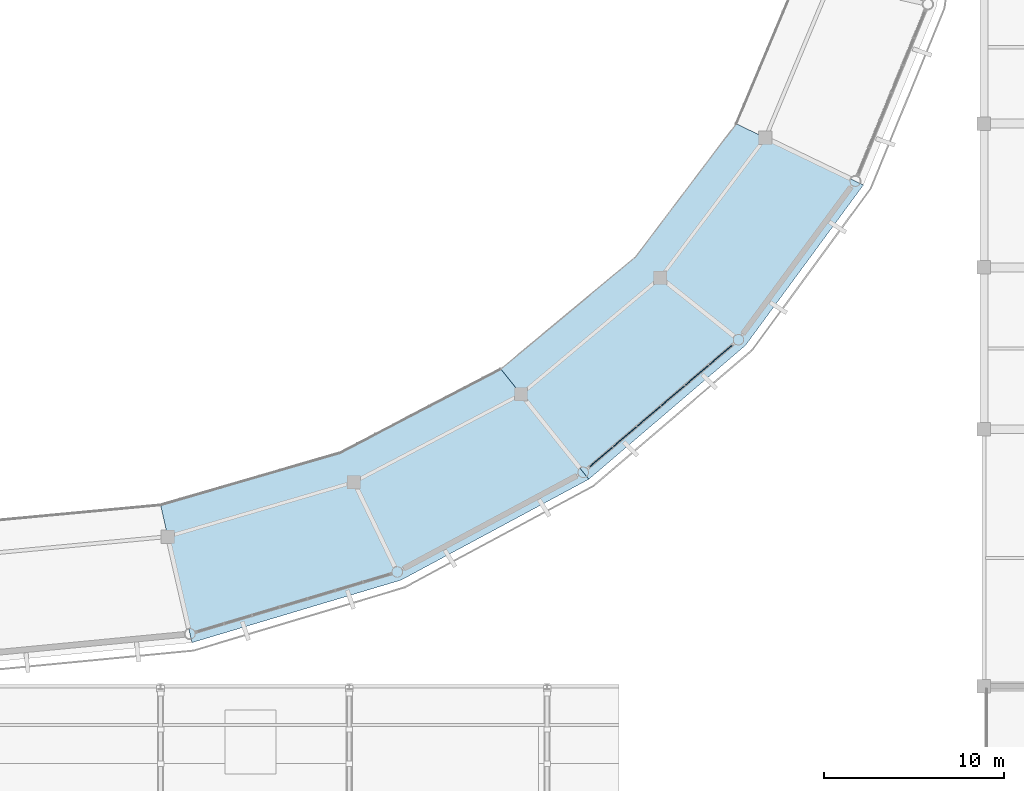
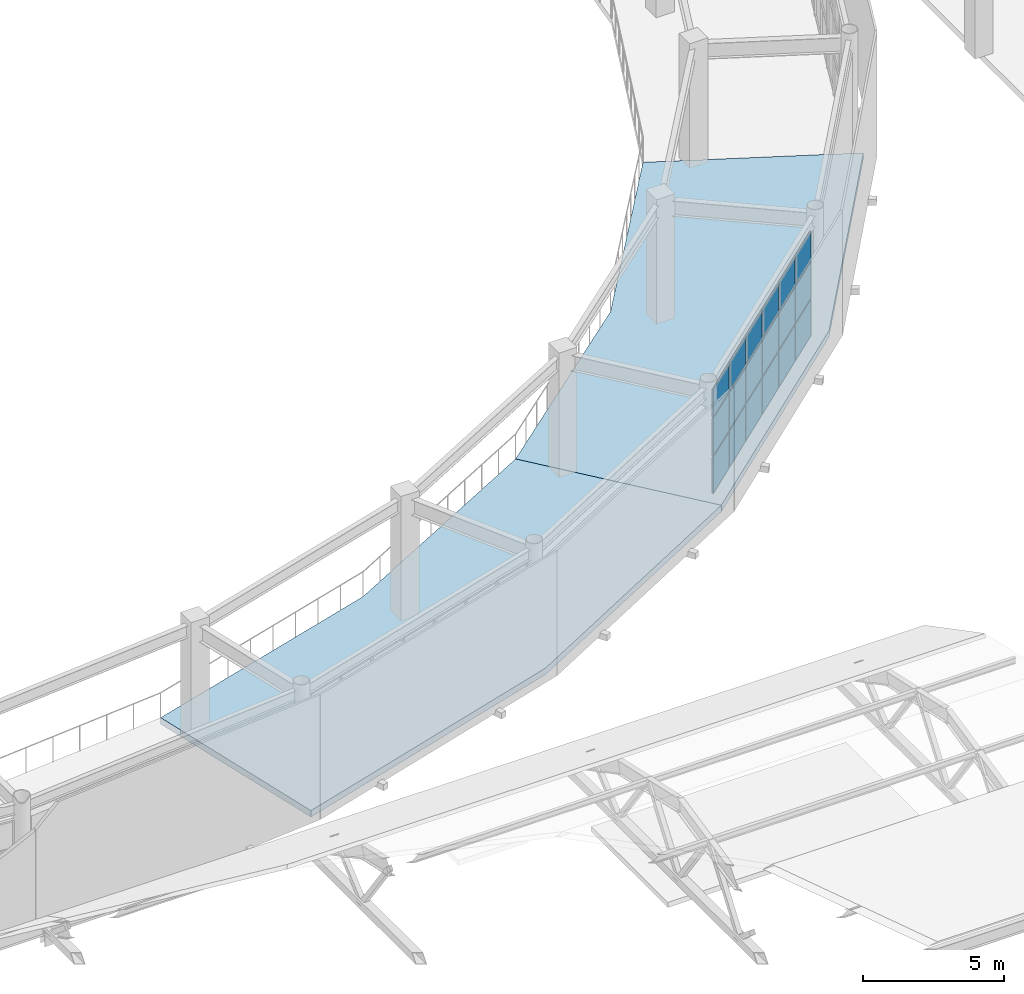
# One storey, part 42 of 70: 18 plates, 2 slabs, 1 element without a shape of its own.
"""IFC4 building model written with IfcOpenShell, lengths in metres."""

import ifcopenshell
import ifcopenshell.guid

model = None  # the IFC model being written
_history = None  # IfcOwnerHistory: only IFC2X3 demands one
_inside = {}  # id of a spatial element -> (the spatial element, [elements in it])
_under = {}  # id of a project, library or spatial element -> (it, [spatial elements below it])
_declared = {}  # id of a project -> (the project, [libraries it declares])
_typed = {}  # id of a type object -> (the type object, [elements of that type])
_made_of = {}  # id of a material, layer set ... -> (it, [elements and type objects made of it])


def new_model(schema):
    """Start an empty IFC model of exactly this schema.

    Asked for "IFC4X3", IfcOpenShell would pick the latest addendum, in which some entities
    have other attributes; the version numbers below select the first issue.
    IFC2X3 requires an IfcOwnerHistory on every rooted entity: one is made here for all.
    """
    global model, _history
    if schema == "IFC4X3":
        model = ifcopenshell.file(schema_version=(4, 3, 0, 0))
    else:
        model = ifcopenshell.file(schema=schema)
    _inside.clear()
    _under.clear()
    _declared.clear()
    _typed.clear()
    _made_of.clear()
    _history = None
    if model.schema == "IFC2X3":
        org = make("IfcOrganization", Name="unknown")
        user = make(
            "IfcPersonAndOrganization",
            ThePerson=make("IfcPerson", FamilyName="unknown"),
            TheOrganization=org,
        )
        app = make(
            "IfcApplication",
            ApplicationDeveloper=org,
            Version="unknown",
            ApplicationFullName="unknown",
            ApplicationIdentifier="unknown",
        )
        _history = make(
            "IfcOwnerHistory",
            OwningUser=user,
            OwningApplication=app,
            ChangeAction="ADDED",
            CreationDate=0,
        )
    return model


def make(cls, **values):
    """One entity of the class cls with the attributes given. An attribute that is None is left unset."""
    return model.create_entity(
        cls, **{name: value for name, value in values.items() if value is not None}
    )


def rooted(cls, **values):
    """An entity with a GlobalId (a new one), such as an element, a storey or a relation."""
    return make(cls, GlobalId=ifcopenshell.guid.new(), OwnerHistory=_history, **values)


def si_unit(unit_type, name, prefix=None):
    """IfcSIUnit, for example si_unit("LENGTHUNIT", "METRE", prefix="MILLI")."""
    return make("IfcSIUnit", UnitType=unit_type, Prefix=prefix, Name=name)


def assignment(units):
    """IfcUnitAssignment: the units of a project."""
    return None if units is None else make("IfcUnitAssignment", Units=units)


def point(xyz):
    """IfcCartesianPoint."""
    return None if xyz is None else make("IfcCartesianPoint", Coordinates=xyz)


def direction(xyz):
    """IfcDirection."""
    return None if xyz is None else make("IfcDirection", DirectionRatios=xyz)


def frame(location, z_axis=None, x_axis=None):
    """IfcAxis2Placement3D, a coordinate frame: its origin and axes. An axis left out is left unset."""
    return make(
        "IfcAxis2Placement3D",
        Location=point(location),
        Axis=direction(z_axis),
        RefDirection=direction(x_axis),
    )


def frame_2d(location, x_axis=None):
    """IfcAxis2Placement2D, a coordinate frame in the plane: its origin and x axis."""
    return make(
        "IfcAxis2Placement2D", Location=point(location), RefDirection=direction(x_axis)
    )


def origin():
    """The frame at (0, 0, 0) with its axes left unset."""
    return frame((0.0, 0.0, 0.0))


def origin_2d():
    """The frame at (0, 0) in the plane with its x axis left unset."""
    return frame_2d((0.0, 0.0))


def place(relative_to, where):
    """IfcLocalPlacement: puts the frame where relative to a parent placement (None: the world)."""
    return make(
        "IfcLocalPlacement", PlacementRelTo=relative_to, RelativePlacement=where
    )


def context(
    kind, dimensions, precision=None, world=None, true_north=None, identifier=None
):
    """IfcGeometricRepresentationContext, for example the 3D "Model" context."""
    return make(
        "IfcGeometricRepresentationContext",
        ContextIdentifier=identifier,
        ContextType=kind,
        CoordinateSpaceDimension=dimensions,
        Precision=precision,
        WorldCoordinateSystem=world,
        TrueNorth=true_north,
    )


def subcontext(parent, identifier, kind, view, scale=None):
    """IfcGeometricRepresentationSubContext, for example "Body" below "Model"."""
    return make(
        "IfcGeometricRepresentationSubContext",
        ContextIdentifier=identifier,
        ContextType=kind,
        ParentContext=parent,
        TargetScale=scale,
        TargetView=view,
    )


def project(units=None, contexts=None):
    """IfcProject with its units and contexts."""
    return rooted(
        "IfcProject",
        Name="project",
        RepresentationContexts=contexts,
        UnitsInContext=assignment(units),
    )


def spatial(cls, under=None, at=None, **own):
    """A site, building, storey or space (cls), placed at a placement, below another one or the project."""
    s = rooted(cls, ObjectPlacement=at, **own)
    if under is not None:
        _under.setdefault(under.id(), (under, []))[1].append(s)
    return s


def polyline(points):
    """IfcPolyline through the points."""
    return make("IfcPolyline", Points=[point(p) for p in points])


def profile(cls, at=None, kind="AREA", **sizes):
    """A parametric profile (cls). Its sizes go by their IFC names, for example OverallWidth=200.0."""
    return make(cls, ProfileType=kind, Position=at, **sizes)


def rectangle(**sizes):
    """IfcRectangleProfileDef."""
    return profile("IfcRectangleProfileDef", **sizes)


def outline(outer, holes=None, kind="AREA"):
    """IfcArbitraryClosedProfileDef: a profile drawn as a closed curve; with holes, ...WithVoids."""
    if holes is None:
        return make("IfcArbitraryClosedProfileDef", ProfileType=kind, OuterCurve=outer)
    return make(
        "IfcArbitraryProfileDefWithVoids",
        ProfileType=kind,
        OuterCurve=outer,
        InnerCurves=holes,
    )


def extrude(swept, where, along, depth):
    """IfcExtrudedAreaSolid: the profile swept, set in the frame where, extruded along a direction by depth."""
    return make(
        "IfcExtrudedAreaSolid",
        SweptArea=swept,
        Position=where,
        ExtrudedDirection=direction(along),
        Depth=depth,
    )


def shape(context_of_items, identifier, shape_type, items):
    """IfcShapeRepresentation: the items that make up one representation, for example the "Body"."""
    return make(
        "IfcShapeRepresentation",
        ContextOfItems=context_of_items,
        RepresentationIdentifier=identifier,
        RepresentationType=shape_type,
        Items=items,
    )


def material(Name=None, Category=None):
    """IfcMaterial."""
    return make("IfcMaterial", Name=Name, Category=Category)


def layer(
    of_material, thickness, ventilated=None, Name=None, Category=None, Priority=None
):
    """IfcMaterialLayer: one layer of a wall or slab, of a material (None: an air gap)."""
    return make(
        "IfcMaterialLayer",
        Material=of_material,
        LayerThickness=thickness,
        IsVentilated=ventilated,
        Name=Name,
        Category=Category,
        Priority=Priority,
    )


def layer_set(layers, Name=None):
    """IfcMaterialLayerSet."""
    return make("IfcMaterialLayerSet", MaterialLayers=layers, LayerSetName=Name)


def made_of(thing, what):
    """Note that an element or type object is made of a material, layer set ...; save() writes the relation."""
    if what is not None:
        _made_of.setdefault(what.id(), (what, []))[1].append(thing)
    return thing


def type_object(cls, material=None, **own):
    """A type object (cls), such as IfcWallType, which elements share."""
    return made_of(rooted(cls, **own), material)


def element(
    cls,
    number,
    at=None,
    inside=None,
    cuts=None,
    type_object=None,
    material=None,
    context=None,
    identifier="Body",
    shape_type=None,
    held_by="IfcProductDefinitionShape",
    body=None,
    shapes=None,
    **own,
):
    """One element of the class cls, such as IfcWall. Its Tag is "e" and its number.

    at: its placement. inside: the storey or other place that contains it. cuts: it is an
    opening in that element (IfcRelVoidsElement). A single representation is given by context,
    identifier, shape_type and body (its items); several are given by shapes. held_by: the class
    of the entity that holds the representations. save() writes the other relations.
    """
    e = rooted(cls, Tag="e%d" % number, ObjectPlacement=at, **own)
    if body is not None:
        shapes = [shape(context, identifier, shape_type, body)]
    if shapes is not None:
        e.Representation = make(held_by, Representations=shapes)
    if inside is not None:
        _inside.setdefault(inside.id(), (inside, []))[1].append(e)
    if cuts is not None:
        rooted(
            "IfcRelVoidsElement", RelatingBuildingElement=cuts, RelatedOpeningElement=e
        )
    if type_object is not None:
        _typed.setdefault(type_object.id(), (type_object, []))[1].append(e)
    return made_of(e, material)


def aggregate(whole, parts):
    """IfcRelAggregates: a whole, such as a stair, and the parts it consists of."""
    return rooted("IfcRelAggregates", RelatingObject=whole, RelatedObjects=parts)


def save(model, path):
    """Write the relations noted so far, then the file.

    IfcRelAggregates (storeys below a building ...), IfcRelContainedInSpatialStructure (elements
    in a storey), IfcRelDefinesByType, IfcRelAssociatesMaterial and IfcRelDeclares: one each for
    every whole, place, type object, material and project.
    """
    for whole, parts in _under.values():
        aggregate(whole, parts)
    for where, things in _inside.values():
        rooted(
            "IfcRelContainedInSpatialStructure",
            RelatedElements=things,
            RelatingStructure=where,
        )
    for kind, things in _typed.values():
        rooted("IfcRelDefinesByType", RelatedObjects=things, RelatingType=kind)
    for what, things in _made_of.values():
        rooted("IfcRelAssociatesMaterial", RelatedObjects=things, RelatingMaterial=what)
    for by, libraries in _declared.values():
        rooted("IfcRelDeclares", RelatingContext=by, RelatedDefinitions=libraries)
    model.write(path)


model = new_model("IFC4")

# Units and contexts
model_context = context("Model", 3, precision=1e-05, world=origin(), true_north=direction((0.0, 1.0)))
body_context = subcontext(model_context, "Body", "Model", "MODEL_VIEW")
ifc_project = project(units=[si_unit("LENGTHUNIT", "METRE"), si_unit("AREAUNIT", "SQUARE_METRE"), si_unit("VOLUMEUNIT", "CUBIC_METRE"), si_unit("PLANEANGLEUNIT", "RADIAN"), si_unit("MASSUNIT", "GRAM", prefix="KILO")], contexts=[model_context])

# Site, building, storey
site_placement = place(None, origin())
site = spatial("IfcSite", under=ifc_project, at=site_placement, CompositionType="ELEMENT")
building_placement = place(site_placement, origin())
building = spatial("IfcBuilding", under=site, at=building_placement, Name="Cuetzalor Civic Arena", CompositionType="ELEMENT")
storey_placement = place(building_placement, frame((0.0, 0.0, 21.0)))
storey = spatial("IfcBuildingStorey", under=building, at=storey_placement, Name="L04", CompositionType="ELEMENT", Elevation=21.0)

# Curtain wall, plates
ifc_material_1 = material(Name="Anodised dark bronze aluminium and low-E solar glass", Category="aluminium")
curtain_wall_type = type_object("IfcCurtainWallType", Name="UnitisedCW_10550x4650", PredefinedType="USERDEFINED", material=ifc_material_1)
curtain_wall_placement = place(storey_placement, origin())
curtain_wall = element("IfcCurtainWall", 1, at=curtain_wall_placement, inside=storey, type_object=curtain_wall_type, Name="Drum Triangle Foyer Curtain Wall L04-067", ObjectType="UNITISED CURTAIN WALL", PredefinedType="USERDEFINED")
ifc_material_2 = material(Name="Acoustic laminated solar control glass", Category="glass")
ifc_layer_1 = layer(ifc_material_2, 0.0439453125)
ifc_layer_set_1 = layer_set([ifc_layer_1], Name="Acoustic laminated solar control glass")
plate_type = type_object("IfcPlateType", Name="AcousticTripleGlazedPanel_44", PredefinedType="CURTAIN_PANEL", material=ifc_layer_set_1)
plate_1_placement = place(storey_placement, frame((41.654541015625, -29.871826171875, 0.06982421875), z_axis=(0.0, 0.0, 1.0), x_axis=(-0.760677142663, -0.64913040649, 0.0)))
plate_1 = element("IfcPlate", 2, at=plate_1_placement, type_object=plate_type, Name="CW-10 panel 1.1", PredefinedType="CURTAIN_PANEL", context=body_context, shape_type="SweptSolid", body=[
    extrude(rectangle(XDim=1.650146484375, YDim=0.0439453125, at=origin_2d()), origin(), (0.0, 0.0, 1.0), 1.570068359375),
])
plate_2_placement = place(storey_placement, frame((41.654541015625, -29.871826171875, 1.7099609375), z_axis=(0.0, 0.0, 1.0), x_axis=(-0.760677142663, -0.64913040649, 0.0)))
plate_2 = element("IfcPlate", 3, at=plate_2_placement, type_object=plate_type, Name="CW-10 panel 1.2", PredefinedType="CURTAIN_PANEL", context=body_context, shape_type="SweptSolid", body=[
    extrude(rectangle(XDim=1.650146484375, YDim=0.0439453125, at=origin_2d()), origin(), (0.0, 0.0, 1.0), 1.60498046875),
])
plate_3_placement = place(storey_placement, frame((41.654541015625, -29.871826171875, 3.384765625), z_axis=(0.0, 0.0, 1.0), x_axis=(-0.760677142663, -0.64913040649, 0.0)))
plate_3 = element("IfcPlate", 4, at=plate_3_placement, type_object=plate_type, Name="CW-10 panel 1.3", PredefinedType="CURTAIN_PANEL", context=body_context, shape_type="SweptSolid", body=[
    extrude(rectangle(XDim=1.650146484375, YDim=0.0439453125, at=origin_2d()), origin(), (0.0, 0.0, 1.0), 1.197998046875),
])
plate_4_placement = place(storey_placement, frame((40.332763671875, -31.0, 0.06982421875), z_axis=(0.0, 0.0, 1.0), x_axis=(-0.760677142663, -0.64913040649, 0.0)))
plate_4 = element("IfcPlate", 5, at=plate_4_placement, type_object=plate_type, Name="CW-10 panel 2.1", PredefinedType="CURTAIN_PANEL", context=body_context, shape_type="SweptSolid", body=[
    extrude(rectangle(XDim=1.68505859375, YDim=0.0439453125, at=origin_2d()), origin(), (0.0, 0.0, 1.0), 1.570068359375),
])
plate_5_placement = place(storey_placement, frame((40.332763671875, -31.0, 1.7099609375), z_axis=(0.0, 0.0, 1.0), x_axis=(-0.760677142663, -0.64913040649, 0.0)))
plate_5 = element("IfcPlate", 6, at=plate_5_placement, type_object=plate_type, Name="CW-10 panel 2.2", PredefinedType="CURTAIN_PANEL", context=body_context, shape_type="SweptSolid", body=[
    extrude(rectangle(XDim=1.68505859375, YDim=0.0439453125, at=origin_2d()), origin(), (0.0, 0.0, 1.0), 1.60498046875),
])
plate_6_placement = place(storey_placement, frame((40.332763671875, -31.0, 3.384765625), z_axis=(0.0, 0.0, 1.0), x_axis=(-0.760677142663, -0.64913040649, 0.0)))
plate_6 = element("IfcPlate", 7, at=plate_6_placement, type_object=plate_type, Name="CW-10 panel 2.3", PredefinedType="CURTAIN_PANEL", context=body_context, shape_type="SweptSolid", body=[
    extrude(rectangle(XDim=1.68505859375, YDim=0.0439453125, at=origin_2d()), origin(), (0.0, 0.0, 1.0), 1.197998046875),
])
plate_7_placement = place(storey_placement, frame((38.997802734375, -32.13916015625, 0.06982421875), z_axis=(0.0, 0.0, 1.0), x_axis=(-0.760677142663, -0.64913040649, 0.0)))
plate_7 = element("IfcPlate", 8, at=plate_7_placement, type_object=plate_type, Name="CW-10 panel 3.1", PredefinedType="CURTAIN_PANEL", context=body_context, shape_type="SweptSolid", body=[
    extrude(rectangle(XDim=1.68505859375, YDim=0.0439453125, at=origin_2d()), origin(), (0.0, 0.0, 1.0), 1.570068359375),
])
plate_8_placement = place(storey_placement, frame((38.997802734375, -32.13916015625, 1.7099609375), z_axis=(0.0, 0.0, 1.0), x_axis=(-0.760677142663, -0.64913040649, 0.0)))
plate_8 = element("IfcPlate", 9, at=plate_8_placement, type_object=plate_type, Name="CW-10 panel 3.2", PredefinedType="CURTAIN_PANEL", context=body_context, shape_type="SweptSolid", body=[
    extrude(rectangle(XDim=1.68505859375, YDim=0.0439453125, at=origin_2d()), origin(), (0.0, 0.0, 1.0), 1.60498046875),
])
plate_9_placement = place(storey_placement, frame((38.997802734375, -32.13916015625, 3.384765625), z_axis=(0.0, 0.0, 1.0), x_axis=(-0.760677142663, -0.64913040649, 0.0)))
plate_9 = element("IfcPlate", 10, at=plate_9_placement, type_object=plate_type, Name="CW-10 panel 3.3", PredefinedType="CURTAIN_PANEL", context=body_context, shape_type="SweptSolid", body=[
    extrude(rectangle(XDim=1.68505859375, YDim=0.0439453125, at=origin_2d()), origin(), (0.0, 0.0, 1.0), 1.197998046875),
])
plate_10_placement = place(storey_placement, frame((37.66259765625, -33.278564453125, 0.06982421875), z_axis=(0.0, 0.0, 1.0), x_axis=(-0.760677142663, -0.64913040649, 0.0)))
plate_10 = element("IfcPlate", 11, at=plate_10_placement, type_object=plate_type, Name="CW-10 panel 4.1", PredefinedType="CURTAIN_PANEL", context=body_context, shape_type="SweptSolid", body=[
    extrude(rectangle(XDim=1.68505859375, YDim=0.0439453125, at=origin_2d()), origin(), (0.0, 0.0, 1.0), 1.570068359375),
])
plate_11_placement = place(storey_placement, frame((37.66259765625, -33.278564453125, 1.7099609375), z_axis=(0.0, 0.0, 1.0), x_axis=(-0.760677142663, -0.64913040649, 0.0)))
plate_11 = element("IfcPlate", 12, at=plate_11_placement, type_object=plate_type, Name="CW-10 panel 4.2", PredefinedType="CURTAIN_PANEL", context=body_context, shape_type="SweptSolid", body=[
    extrude(rectangle(XDim=1.68505859375, YDim=0.0439453125, at=origin_2d()), origin(), (0.0, 0.0, 1.0), 1.60498046875),
])
plate_12_placement = place(storey_placement, frame((37.66259765625, -33.278564453125, 3.384765625), z_axis=(0.0, 0.0, 1.0), x_axis=(-0.760677142663, -0.64913040649, 0.0)))
plate_12 = element("IfcPlate", 13, at=plate_12_placement, type_object=plate_type, Name="CW-10 panel 4.3", PredefinedType="CURTAIN_PANEL", context=body_context, shape_type="SweptSolid", body=[
    extrude(rectangle(XDim=1.68505859375, YDim=0.0439453125, at=origin_2d()), origin(), (0.0, 0.0, 1.0), 1.197998046875),
])
plate_13_placement = place(storey_placement, frame((36.327392578125, -34.41796875, 0.06982421875), z_axis=(0.0, 0.0, 1.0), x_axis=(-0.760677142663, -0.64913040649, 0.0)))
plate_13 = element("IfcPlate", 14, at=plate_13_placement, type_object=plate_type, Name="CW-10 panel 5.1", PredefinedType="CURTAIN_PANEL", context=body_context, shape_type="SweptSolid", body=[
    extrude(rectangle(XDim=1.68505859375, YDim=0.0439453125, at=origin_2d()), origin(), (0.0, 0.0, 1.0), 1.570068359375),
])
plate_14_placement = place(storey_placement, frame((36.327392578125, -34.41796875, 1.7099609375), z_axis=(0.0, 0.0, 1.0), x_axis=(-0.760677142663, -0.64913040649, 0.0)))
plate_14 = element("IfcPlate", 15, at=plate_14_placement, type_object=plate_type, Name="CW-10 panel 5.2", PredefinedType="CURTAIN_PANEL", context=body_context, shape_type="SweptSolid", body=[
    extrude(rectangle(XDim=1.68505859375, YDim=0.0439453125, at=origin_2d()), origin(), (0.0, 0.0, 1.0), 1.60498046875),
])
plate_15_placement = place(storey_placement, frame((36.327392578125, -34.41796875, 3.384765625), z_axis=(0.0, 0.0, 1.0), x_axis=(-0.760677142663, -0.64913040649, 0.0)))
plate_15 = element("IfcPlate", 16, at=plate_15_placement, type_object=plate_type, Name="CW-10 panel 5.3", PredefinedType="CURTAIN_PANEL", context=body_context, shape_type="SweptSolid", body=[
    extrude(rectangle(XDim=1.68505859375, YDim=0.0439453125, at=origin_2d()), origin(), (0.0, 0.0, 1.0), 1.197998046875),
])
plate_16_placement = place(storey_placement, frame((35.005615234375, -35.5458984375, 0.06982421875), z_axis=(0.0, 0.0, 1.0), x_axis=(-0.760677142663, -0.64913040649, 0.0)))
plate_16 = element("IfcPlate", 17, at=plate_16_placement, type_object=plate_type, Name="CW-10 panel 6.1", PredefinedType="CURTAIN_PANEL", context=body_context, shape_type="SweptSolid", body=[
    extrude(rectangle(XDim=1.650146484375, YDim=0.0439453125, at=origin_2d()), origin(), (0.0, 0.0, 1.0), 1.570068359375),
])
plate_17_placement = place(storey_placement, frame((35.005615234375, -35.5458984375, 1.7099609375), z_axis=(0.0, 0.0, 1.0), x_axis=(-0.760677142663, -0.64913040649, 0.0)))
plate_17 = element("IfcPlate", 18, at=plate_17_placement, type_object=plate_type, Name="CW-10 panel 6.2", PredefinedType="CURTAIN_PANEL", context=body_context, shape_type="SweptSolid", body=[
    extrude(rectangle(XDim=1.650146484375, YDim=0.0439453125, at=origin_2d()), origin(), (0.0, 0.0, 1.0), 1.60498046875),
])
plate_18_placement = place(storey_placement, frame((35.005615234375, -35.5458984375, 3.384765625), z_axis=(0.0, 0.0, 1.0), x_axis=(-0.760677142663, -0.64913040649, 0.0)))
plate_18 = element("IfcPlate", 19, at=plate_18_placement, type_object=plate_type, Name="CW-10 panel 6.3", PredefinedType="CURTAIN_PANEL", context=body_context, shape_type="SweptSolid", body=[
    extrude(rectangle(XDim=1.650146484375, YDim=0.0439453125, at=origin_2d()), origin(), (0.0, 0.0, 1.0), 1.197998046875),
])
aggregate(curtain_wall, [plate_1, plate_2, plate_3, plate_4, plate_5, plate_6, plate_7, plate_8, plate_9, plate_10, plate_11, plate_12, plate_13, plate_14, plate_15, plate_16, plate_17, plate_18])

# Slabs
ifc_material_3 = material(Name="Concrete C35/45", Category="concrete")
ifc_layer_2 = layer(ifc_material_3, 0.280029296875)
ifc_layer_set_2 = layer_set([ifc_layer_2], Name="Concrete C35/45")
slab_type = type_object("IfcSlabType", Name="SuspendedFloorSlab_280", PredefinedType="FLOOR", material=ifc_layer_set_2)
slab_1_placement = place(storey_placement, frame((0.0, 0.0, -0.280029296875)))
element("IfcSlab", 20, at=slab_1_placement, inside=storey, type_object=slab_type, Name="Arena Concourse Sector Slab L04-12", PredefinedType="FLOOR", context=body_context, shape_type="SweptSolid", body=[
    extrude(outline(polyline([(10.5029296875, -38.21728515625), (20.479248046875, -35.318115234375), (29.4287109375, -30.647705078125), (34.322998046875, -36.78515625), (23.88525390625, -42.390625), (12.249755859375, -45.870361328125), (10.5029296875, -38.21728515625)])), origin(), (0.0, 0.0, 1.0), 0.280029296875),
])
slab_2_placement = place(storey_placement, frame((0.0, 0.0, -0.280029296875)))
element("IfcSlab", 21, at=slab_2_placement, inside=storey, type_object=slab_type, Name="Arena Concourse Sector Slab L04-13", PredefinedType="FLOOR", context=body_context, shape_type="SweptSolid", body=[
    extrude(outline(polyline([(29.4287109375, -30.647705078125), (36.90234375, -24.44091796875), (42.525634765625, -17.00830078125), (49.598388671875, -20.414306640625), (43.039794921875, -29.335205078125), (34.322998046875, -36.78515625), (29.4287109375, -30.647705078125)])), origin(), (0.0, 0.0, 1.0), 0.280029296875),
])

save(model, "model.ifc")
